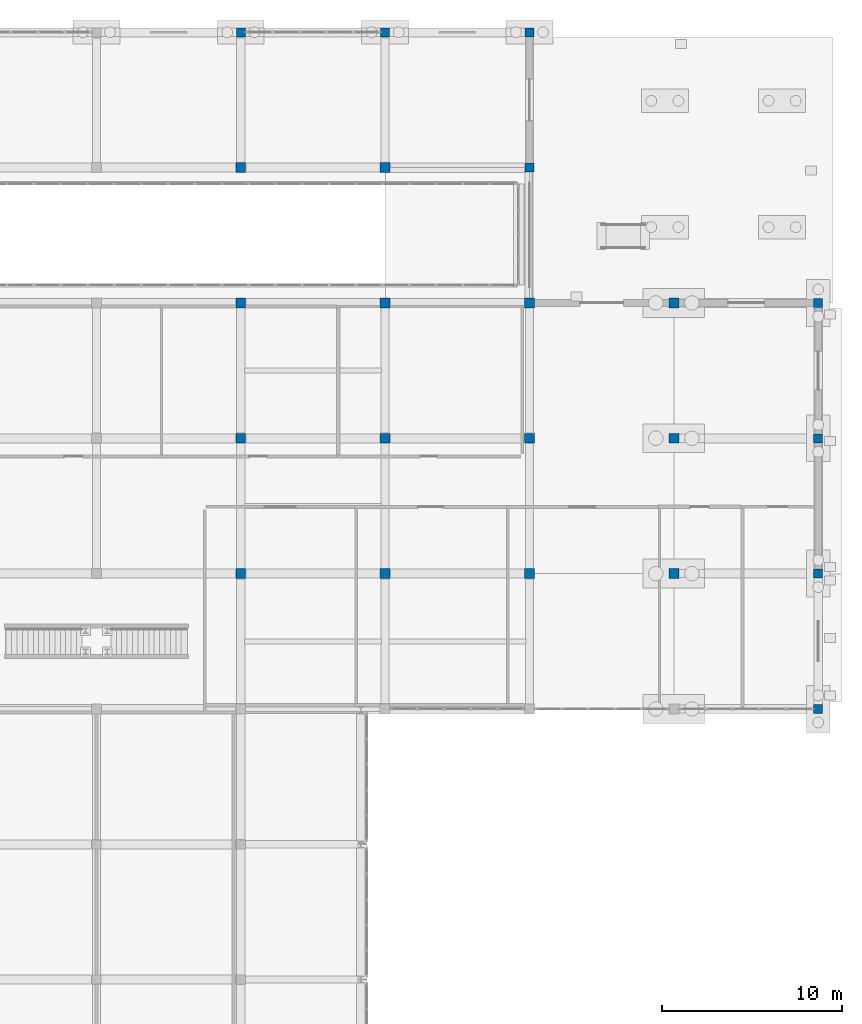
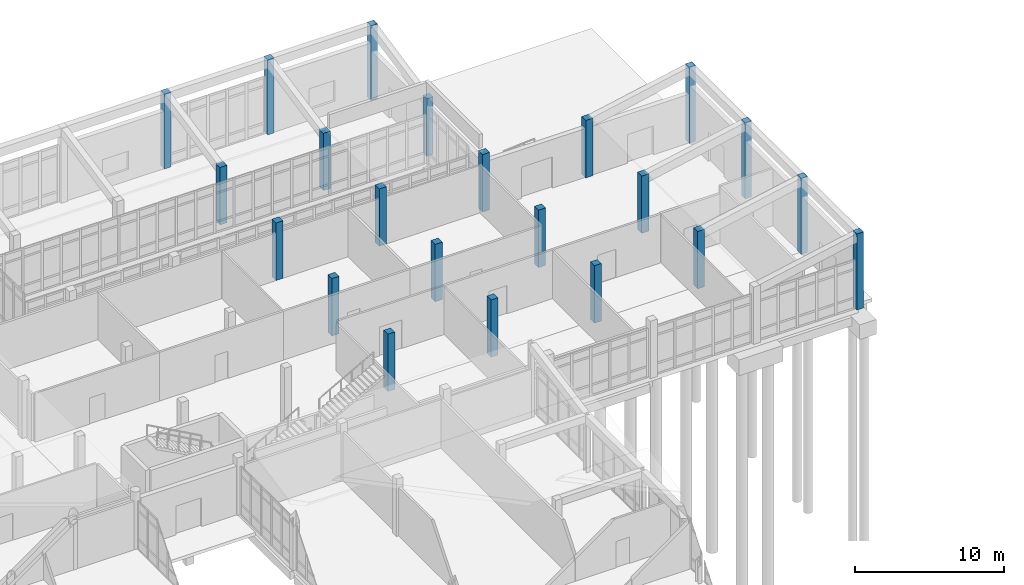
# One storey, part 22 of 173: 22 columns.
"""IFC4 building model written with IfcOpenShell, lengths in metres."""

from ifc_helpers import new_model, si_unit, direction, frame, origin, origin_2d, place, context, subcontext, project, spatial, rectangle, extrude, material, material_profile, profile_set, type_object, element, save


model = new_model("IFC4")

# Units and contexts
model_context = context("Model", 3, precision=1e-05, world=origin(), true_north=direction((0.0, 1.0)))
body_context = subcontext(model_context, "Body", "Model", "MODEL_VIEW")
ifc_project = project(units=[si_unit("LENGTHUNIT", "METRE"), si_unit("AREAUNIT", "SQUARE_METRE"), si_unit("VOLUMEUNIT", "CUBIC_METRE"), si_unit("PLANEANGLEUNIT", "RADIAN"), si_unit("MASSUNIT", "GRAM", prefix="KILO")], contexts=[model_context])

# Site, building, storey
site_placement = place(None, origin())
site = spatial("IfcSite", under=ifc_project, at=site_placement, CompositionType="ELEMENT")
building_placement = place(site_placement, origin())
building = spatial("IfcBuilding", under=site, at=building_placement, Name="Mawjan Specialist Oncology Clinic", CompositionType="ELEMENT")
storey_placement = place(building_placement, origin())
storey = spatial("IfcBuildingStorey", under=building, at=storey_placement, Name="L00", CompositionType="ELEMENT", Elevation=0.0)

# Columns
ifc_material_1 = material(Name="Concrete C45/55", Category="concrete")
ifc_material_profile_1 = material_profile(ifc_material_1, rectangle(XDim=0.5, YDim=0.5, at=origin_2d()), Name="RC COL 500x500", Category="concrete")
ifc_profile_set_1 = profile_set([ifc_material_profile_1], Name="Concrete C45/55")
column_type_1 = type_object("IfcColumnType", Name="C-500", PredefinedType="COLUMN", material=ifc_profile_set_1)
for number, where, z_axis, x_axis, name in (
    (1, (132.0, 113.300048828125, 0.0), (0.0, 0.0, 1.0), (1.0, 0.0, 0.0), "L00 Column G-22-R"),
    (2, (140.0, 113.300048828125, 0.0), (0.0, 0.0, 1.0), (1.0, 0.0, 0.0), "L00 Column G-23-R"),
):
    element("IfcColumn", number, at=place(storey_placement, frame(where, z_axis=z_axis, x_axis=x_axis)), inside=storey, type_object=column_type_1, Name=name, PredefinedType="COLUMN", context=body_context, shape_type="SweptSolid", body=[
        extrude(rectangle(XDim=0.5, YDim=0.5, at=origin_2d()), origin(), (0.0, 0.0, 1.0), 6.135986328125),
    ])
column_1_placement = place(storey_placement, frame((148.0, 105.800048828125, 0.0), z_axis=(0.0, 0.0, 1.0), x_axis=(1.0, 0.0, 0.0)))
element("IfcColumn", 3, at=column_1_placement, inside=storey, type_object=column_type_1, Name="L00 Column G-24-Q", PredefinedType="COLUMN", context=body_context, shape_type="SweptSolid", body=[
    extrude(rectangle(XDim=0.5, YDim=0.5, at=origin_2d()), origin(), (0.0, 0.0, 1.0), 4.699951171875),
])
column_2_placement = place(storey_placement, frame((148.0, 113.300048828125, 0.0), z_axis=(0.0, 0.0, 1.0), x_axis=(1.0, 0.0, 0.0)))
element("IfcColumn", 4, at=column_2_placement, inside=storey, type_object=column_type_1, Name="L00 Column G-24-R", PredefinedType="COLUMN", context=body_context, shape_type="SweptSolid", body=[
    extrude(rectangle(XDim=0.5, YDim=0.5, at=origin_2d()), origin(), (0.0, 0.0, 1.0), 6.135986328125),
])
for number, where, z_axis, x_axis, name in (
    (5, (164.0, 75.800048828125, 0.0), (0.0, 0.0, 1.0), (1.0, 0.0, 0.0), "L00 Column G-26-L"),
    (6, (164.0, 83.300048828125, 0.0), (0.0, 0.0, 1.0), (1.0, 0.0, 0.0), "L00 Column G-26-M"),
    (7, (164.0, 90.800048828125, 0.0), (0.0, 0.0, 1.0), (1.0, 0.0, 0.0), "L00 Column G-26-N"),
    (8, (164.0, 98.300048828125, 0.0), (0.0, 0.0, 1.0), (1.0, 0.0, 0.0), "L00 Column G-26-P"),
):
    element("IfcColumn", number, at=place(storey_placement, frame(where, z_axis=z_axis, x_axis=x_axis)), inside=storey, type_object=column_type_1, Name=name, PredefinedType="COLUMN", context=body_context, shape_type="SweptSolid", body=[
        extrude(rectangle(XDim=0.5, YDim=0.5, at=origin_2d()), origin(), (0.0, 0.0, 1.0), 6.22607421875),
    ])
ifc_material_2 = material(Name="Concrete C45/55", Category="concrete")
ifc_material_profile_2 = material_profile(ifc_material_2, rectangle(XDim=0.550048828125, YDim=0.550048828125, at=origin_2d()), Name="RC COL 550x550", Category="concrete")
ifc_profile_set_2 = profile_set([ifc_material_profile_2], Name="Concrete C45/55")
column_type_2 = type_object("IfcColumnType", Name="C-550", PredefinedType="COLUMN", material=ifc_profile_set_2)
for number, where, z_axis, x_axis, name in (
    (9, (132.0, 83.300048828125, 0.0), (0.0, 0.0, 1.0), (1.0, 0.0, 0.0), "L00 Column G-22-M"),
    (10, (132.0, 90.800048828125, 0.0), (0.0, 0.0, 1.0), (1.0, 0.0, 0.0), "L00 Column G-22-N"),
    (11, (132.0, 98.300048828125, 0.0), (0.0, 0.0, 1.0), (1.0, 0.0, 0.0), "L00 Column G-22-P"),
    (12, (132.0, 105.800048828125, 0.0), (0.0, 0.0, 1.0), (1.0, 0.0, 0.0), "L00 Column G-22-Q"),
    (13, (140.0, 83.300048828125, 0.0), (0.0, 0.0, 1.0), (1.0, 0.0, 0.0), "L00 Column G-23-M"),
    (14, (140.0, 90.800048828125, 0.0), (0.0, 0.0, 1.0), (1.0, 0.0, 0.0), "L00 Column G-23-N"),
    (15, (140.0, 98.300048828125, 0.0), (0.0, 0.0, 1.0), (1.0, 0.0, 0.0), "L00 Column G-23-P"),
    (16, (140.0, 105.800048828125, 0.0), (0.0, 0.0, 1.0), (1.0, 0.0, 0.0), "L00 Column G-23-Q"),
    (17, (148.0, 83.300048828125, 0.0), (0.0, 0.0, 1.0), (1.0, 0.0, 0.0), "L00 Column G-24-M"),
    (18, (148.0, 90.800048828125, 0.0), (0.0, 0.0, 1.0), (1.0, 0.0, 0.0), "L00 Column G-24-N"),
    (19, (148.0, 98.300048828125, 0.0), (0.0, 0.0, 1.0), (1.0, 0.0, 0.0), "L00 Column G-24-P"),
    (20, (156.0, 83.300048828125, 0.0), (0.0, 0.0, 1.0), (1.0, 0.0, 0.0), "L00 Column G-25-M"),
    (21, (156.0, 90.800048828125, 0.0), (0.0, 0.0, 1.0), (1.0, 0.0, 0.0), "L00 Column G-25-N"),
    (22, (156.0, 98.300048828125, 0.0), (0.0, 0.0, 1.0), (1.0, 0.0, 0.0), "L00 Column G-25-P"),
):
    element("IfcColumn", number, at=place(storey_placement, frame(where, z_axis=z_axis, x_axis=x_axis)), inside=storey, type_object=column_type_2, Name=name, PredefinedType="COLUMN", context=body_context, shape_type="SweptSolid", body=[
        extrude(rectangle(XDim=0.550048828125, YDim=0.550048828125, at=origin_2d()), origin(), (0.0, 0.0, 1.0), 4.699951171875),
    ])

save(model, "model.ifc")
